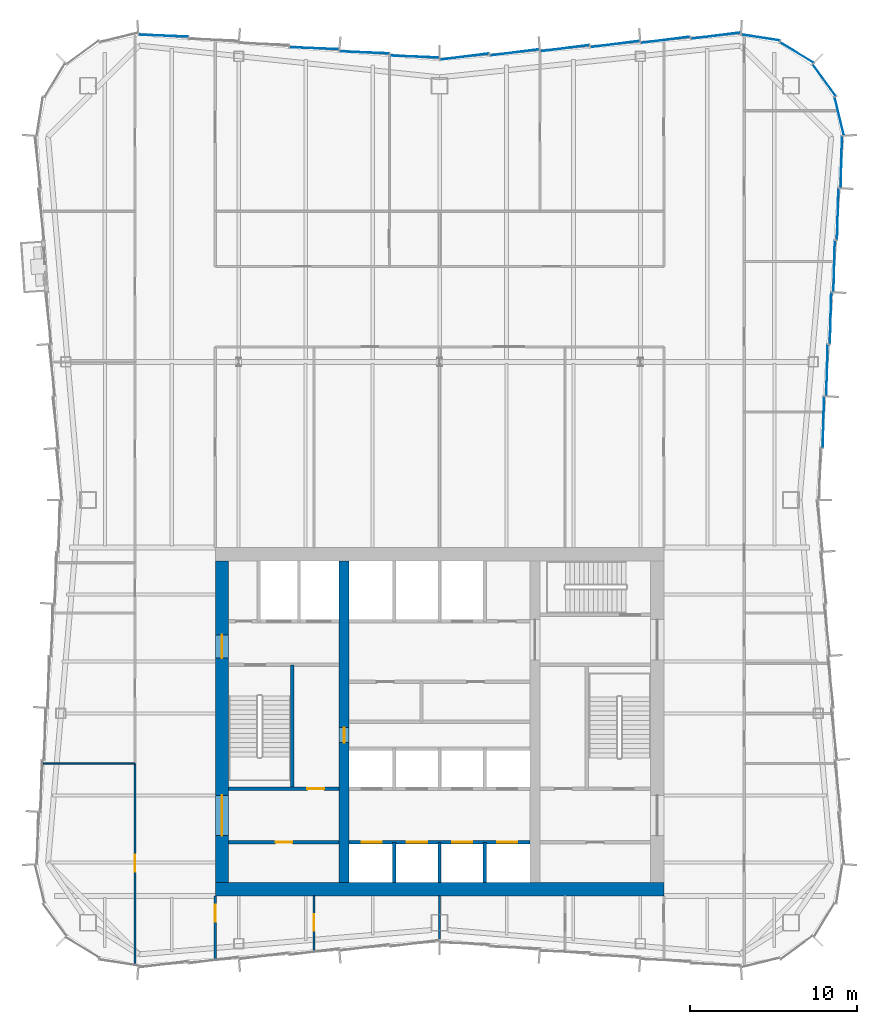
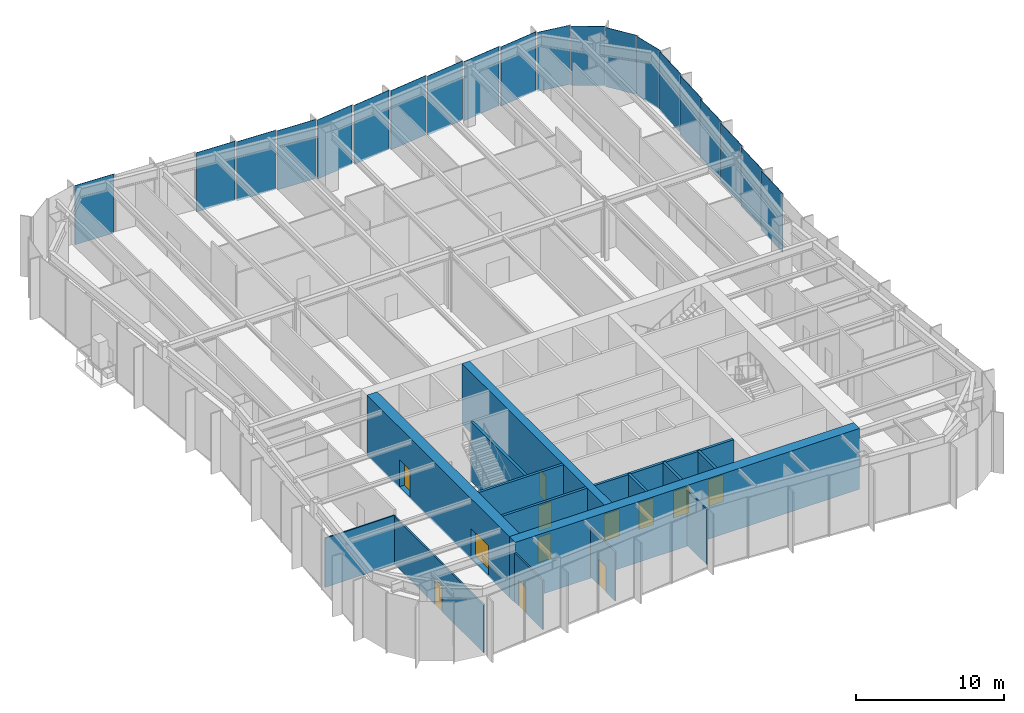
# One storey, part 10 of 15: 20 plates, 15 walls, 12 doors, 12 openings, 3 elements without a shape of their own.
"""IFC4 building model written with IfcOpenShell, lengths in metres."""

from ifc_helpers import new_model, si_unit, direction, frame, frame_2d, origin, origin_2d, place, context, subcontext, project, spatial, rectangle, extrude, material, layer, layer_set, type_object, element, fill, aggregate, save


model = new_model("IFC4")

# Units and contexts
model_context = context("Model", 3, precision=1e-05, world=origin(), true_north=direction((0.0, 1.0)))
body_context = subcontext(model_context, "Body", "Model", "MODEL_VIEW")
ifc_project = project(units=[si_unit("LENGTHUNIT", "METRE"), si_unit("AREAUNIT", "SQUARE_METRE"), si_unit("VOLUMEUNIT", "CUBIC_METRE"), si_unit("PLANEANGLEUNIT", "RADIAN"), si_unit("MASSUNIT", "GRAM", prefix="KILO")], contexts=[model_context])

# Site, building, storey
site_placement = place(None, origin())
site = spatial("IfcSite", under=ifc_project, at=site_placement, CompositionType="ELEMENT")
building_placement = place(site_placement, origin())
building = spatial("IfcBuilding", under=site, at=building_placement, Name="Verdant Reach Tower", CompositionType="ELEMENT")
storey_placement = place(building_placement, frame((0.0, 0.0, 233.0)))
storey = spatial("IfcBuildingStorey", under=building, at=storey_placement, Name="L53", CompositionType="ELEMENT", Elevation=233.0)

# Curtain wall, plates
ifc_material_1 = material(Name="Anodised aluminium", Category="aluminium")
curtain_wall_type = type_object("IfcCurtainWallType", Name="EN-CW SYSTEM Z4", PredefinedType="NOTDEFINED", material=ifc_material_1)
curtain_wall_1_placement = place(storey_placement, origin())
curtain_wall_1 = element("IfcCurtainWall", 1, at=curtain_wall_1_placement, inside=storey, type_object=curtain_wall_type, Name="Curtain wall east, L53", PredefinedType="NOTDEFINED")
ifc_material_2 = material(Name="Tinted glass with champagne spandrel", Category="glass")
ifc_layer_1 = layer(ifc_material_2, 0.031982421875)
ifc_layer_set_1 = layer_set([ifc_layer_1], Name="EN-PANEL CHAMPAGNE")
plate_type_1 = type_object("IfcPlateType", Name="EN-PANEL CHAMPAGNE", PredefinedType="CURTAIN_PANEL", material=ifc_layer_set_1)
plate_1_placement = place(storey_placement, frame((23.575927734375, 55.224365234375, -0.221923828125), z_axis=(0.0, 0.0, 1.0), x_axis=(0.026965318308, 0.999636369691, 0.0)))
plate_1 = element("IfcPlate", 2, at=plate_1_placement, type_object=plate_type_1, Name="Glass panel east face part 2 5.1, L53", PredefinedType="CURTAIN_PANEL", context=body_context, shape_type="SweptSolid", body=[
    extrude(rectangle(XDim=3.050537109375, YDim=0.031982421875, at=origin_2d()), origin(), (0.0, 0.0, 1.0), 4.8720703125),
])
plate_2_placement = place(storey_placement, frame((23.790283203125, 58.33154296875, -0.221923828125), z_axis=(0.0, 0.0, 1.0), x_axis=(0.026965318308, 0.999636369691, 0.0)))
plate_2 = element("IfcPlate", 3, at=plate_2_placement, type_object=plate_type_1, Name="Glass panel east face part 2 6.1, L53", PredefinedType="CURTAIN_PANEL", context=body_context, shape_type="SweptSolid", body=[
    extrude(rectangle(XDim=3.050537109375, YDim=0.031982421875, at=origin_2d()), origin(), (0.0, 0.0, 1.0), 4.8720703125),
])
plate_3_placement = place(storey_placement, frame((24.004638671875, 61.446044921875, -0.221923828125), z_axis=(0.0, 0.0, 1.0), x_axis=(0.026651253217, 0.999644792265, 0.0)))
plate_3 = element("IfcPlate", 4, at=plate_3_placement, type_object=plate_type_1, Name="Glass panel east face part 2 7.1, L53", PredefinedType="CURTAIN_PANEL", context=body_context, shape_type="SweptSolid", body=[
    extrude(rectangle(XDim=3.0654296875, YDim=0.031982421875, at=origin_2d()), origin(), (0.0, 0.0, 1.0), 4.8720703125),
])

# Curtain wall, plate
curtain_wall_2_placement = place(storey_placement, origin())
curtain_wall_2 = element("IfcCurtainWall", 5, at=curtain_wall_2_placement, inside=storey, type_object=curtain_wall_type, Name="Curtain wall north-east corner, L53", PredefinedType="NOTDEFINED")
plate_4_placement = place(storey_placement, frame((19.172607421875, 68.87939453125, -0.221923828125), z_axis=(0.0, 0.0, 1.0), x_axis=(-0.98802725693, 0.154279420415, 0.0)))
plate_4 = element("IfcPlate", 6, at=plate_4_placement, type_object=plate_type_1, Name="Glass panel north-east corner 4.1, L53", PredefinedType="CURTAIN_PANEL", context=body_context, shape_type="SweptSolid", body=[
    extrude(rectangle(XDim=2.314453125, YDim=0.031982421875, at=origin_2d()), origin(), (0.0, 0.0, 1.0), 4.8720703125),
])

# Curtain wall, plates
curtain_wall_3_placement = place(storey_placement, origin())
curtain_wall_3 = element("IfcCurtainWall", 7, at=curtain_wall_3_placement, inside=storey, type_object=curtain_wall_type, Name="Curtain wall north, L53", PredefinedType="NOTDEFINED")
plate_5_placement = place(storey_placement, frame((13.49072265625, 68.736572265625, -0.221923828125), z_axis=(0.0, 0.0, 1.0), x_axis=(-0.992194034542, -0.124703639961, 0.0)))
plate_5 = element("IfcPlate", 8, at=plate_5_placement, type_object=plate_type_1, Name="Glass panel north face part 1 2.1, L53", PredefinedType="CURTAIN_PANEL", context=body_context, shape_type="SweptSolid", body=[
    extrude(rectangle(XDim=2.9462890625, YDim=0.031982421875, at=origin_2d()), origin(), (0.0, 0.0, 1.0), 4.8720703125),
])
plate_6_placement = place(storey_placement, frame((10.49072265625, 68.486572265625, -0.221923828125), z_axis=(0.0, 0.0, 1.0), x_axis=(-0.992194034542, -0.124703639961, 0.0)))
plate_6 = element("IfcPlate", 9, at=plate_6_placement, type_object=plate_type_1, Name="Glass panel north face part 1 3.1, L53", PredefinedType="CURTAIN_PANEL", context=body_context, shape_type="SweptSolid", body=[
    extrude(rectangle(XDim=2.9462890625, YDim=0.031982421875, at=origin_2d()), origin(), (0.0, 0.0, 1.0), 4.8720703125),
])
plate_7_placement = place(storey_placement, frame((7.49072265625, 68.236572265625, -0.221923828125), z_axis=(0.0, 0.0, 1.0), x_axis=(-0.992194034542, -0.124703639961, 0.0)))
plate_7 = element("IfcPlate", 10, at=plate_7_placement, type_object=plate_type_1, Name="Glass panel north face part 1 4.1, L53", PredefinedType="CURTAIN_PANEL", context=body_context, shape_type="SweptSolid", body=[
    extrude(rectangle(XDim=2.9462890625, YDim=0.031982421875, at=origin_2d()), origin(), (0.0, 0.0, 1.0), 4.8720703125),
])

# Plate
ifc_material_3 = material(Name="Tinted glass with copper spandrel", Category="glass")
ifc_layer_2 = layer(ifc_material_3, 0.031982421875)
ifc_layer_set_2 = layer_set([ifc_layer_2], Name="EN-PANEL COPPER")
plate_type_2 = type_object("IfcPlateType", Name="EN-PANEL COPPER", PredefinedType="CURTAIN_PANEL", material=ifc_layer_set_2)
plate_8_placement = place(storey_placement, frame((22.93310546875, 45.903076171875, -0.221923828125), z_axis=(0.0, 0.0, 1.0), x_axis=(0.026965318308, 0.999636369691, 0.0)))
plate_8 = element("IfcPlate", 11, at=plate_8_placement, type_object=plate_type_2, Name="Glass panel east face part 2 2.1, L53", PredefinedType="CURTAIN_PANEL", context=body_context, shape_type="SweptSolid", body=[
    extrude(rectangle(XDim=3.050537109375, YDim=0.031982421875, at=origin_2d()), origin(), (0.0, 0.0, 1.0), 4.8720703125),
])

plate_9_placement = place(storey_placement, frame((4.49072265625, 67.986572265625, -0.221923828125), z_axis=(0.0, 0.0, 1.0), x_axis=(-0.992194034542, -0.124703639961, 0.0)))
plate_9 = element("IfcPlate", 12, at=plate_9_placement, type_object=plate_type_2, Name="Glass panel north face part 1 5.1, L53", PredefinedType="CURTAIN_PANEL", context=body_context, shape_type="SweptSolid", body=[
    extrude(rectangle(XDim=2.9462890625, YDim=0.031982421875, at=origin_2d()), origin(), (0.0, 0.0, 1.0), 4.8720703125),
])

plate_10_placement = place(storey_placement, frame((1.495361328125, 67.73681640625, -0.221923828125), z_axis=(0.0, 0.0, 1.0), x_axis=(-0.992177950603, -0.124831543836, 0.0)))
plate_10 = element("IfcPlate", 13, at=plate_10_placement, type_object=plate_type_2, Name="Glass panel north face part 1 6.1, L53", PredefinedType="CURTAIN_PANEL", context=body_context, shape_type="SweptSolid", body=[
    extrude(rectangle(XDim=2.93701171875, YDim=0.031982421875, at=origin_2d()), origin(), (0.0, 0.0, 1.0), 4.8720703125),
])

plate_11_placement = place(storey_placement, frame((-16.49853515625, 68.98681640625, -0.221923828125), z_axis=(0.0, 0.0, 1.0), x_axis=(-0.999164016711, 0.040881141246, 0.0)))
plate_11 = element("IfcPlate", 14, at=plate_11_placement, type_object=plate_type_2, Name="Glass panel north face part 2 6.1, L53", PredefinedType="CURTAIN_PANEL", context=body_context, shape_type="SweptSolid", body=[
    extrude(rectangle(XDim=2.9619140625, YDim=0.031982421875, at=origin_2d()), origin(), (0.0, 0.0, 1.0), 4.8720703125),
])

ifc_material_4 = material(Name="Tinted glass with dark bronze spandrel", Category="glass")
ifc_layer_3 = layer(ifc_material_4, 0.031982421875)
ifc_layer_set_3 = layer_set([ifc_layer_3], Name="EN-PANEL DARK")
plate_type_3 = type_object("IfcPlateType", Name="EN-PANEL DARK", PredefinedType="CURTAIN_PANEL", material=ifc_layer_set_3)
plate_12_placement = place(storey_placement, frame((23.1474609375, 49.01025390625, -0.221923828125), z_axis=(0.0, 0.0, 1.0), x_axis=(0.026965318308, 0.999636369691, 0.0)))
plate_12 = element("IfcPlate", 15, at=plate_12_placement, type_object=plate_type_3, Name="Glass panel east face part 2 3.1, L53", PredefinedType="CURTAIN_PANEL", context=body_context, shape_type="SweptSolid", body=[
    extrude(rectangle(XDim=3.050537109375, YDim=0.031982421875, at=origin_2d()), origin(), (0.0, 0.0, 1.0), 4.8720703125),
])

plate_13_placement = place(storey_placement, frame((23.36181640625, 52.1171875, -0.221923828125), z_axis=(0.0, 0.0, 1.0), x_axis=(0.026965318308, 0.999636369691, 0.0)))
plate_13 = element("IfcPlate", 16, at=plate_13_placement, type_object=plate_type_3, Name="Glass panel east face part 2 4.1, L53", PredefinedType="CURTAIN_PANEL", context=body_context, shape_type="SweptSolid", body=[
    extrude(rectangle(XDim=3.050537109375, YDim=0.031982421875, at=origin_2d()), origin(), (0.0, 0.0, 1.0), 4.8720703125),
])

aggregate(curtain_wall_1, [plate_8, plate_12, plate_13, plate_1, plate_2, plate_3])

plate_14_placement = place(storey_placement, frame((23.87939453125, 64.173095703125, -0.221923828125), z_axis=(0.0, 0.0, 1.0), x_axis=(-0.236458850433, 0.971641503875, 0.0)))
plate_14 = element("IfcPlate", 17, at=plate_14_placement, type_object=plate_type_3, Name="Glass panel north-east corner 1.1, L53", PredefinedType="CURTAIN_PANEL", context=body_context, shape_type="SweptSolid", body=[
    extrude(rectangle(XDim=2.313720703125, YDim=0.031982421875, at=origin_2d()), origin(), (0.0, 0.0, 1.0), 4.8720703125),
])

plate_15_placement = place(storey_placement, frame((22.984375, 66.330322265625, -0.221923828125), z_axis=(0.0, 0.0, 1.0), x_axis=(-0.589926737254, 0.80745677573, 0.0)))
plate_15 = element("IfcPlate", 18, at=plate_15_placement, type_object=plate_type_3, Name="Glass panel north-east corner 2.1, L53", PredefinedType="CURTAIN_PANEL", context=body_context, shape_type="SweptSolid", body=[
    extrude(rectangle(XDim=2.32080078125, YDim=0.031982421875, at=origin_2d()), origin(), (0.0, 0.0, 1.0), 4.8720703125),
])

plate_16_placement = place(storey_placement, frame((21.330322265625, 67.984375, -0.221923828125), z_axis=(0.0, 0.0, 1.0), x_axis=(-0.853988708265, 0.520291539577, 0.0)))
plate_16 = element("IfcPlate", 19, at=plate_16_placement, type_object=plate_type_3, Name="Glass panel north-east corner 3.1, L53", PredefinedType="CURTAIN_PANEL", context=body_context, shape_type="SweptSolid", body=[
    extrude(rectangle(XDim=2.32080078125, YDim=0.031982421875, at=origin_2d()), origin(), (0.0, 0.0, 1.0), 4.8720703125),
])

aggregate(curtain_wall_2, [plate_14, plate_15, plate_16, plate_4])

plate_17_placement = place(storey_placement, frame((16.49853515625, 68.98681640625, -0.221923828125), z_axis=(0.0, 0.0, 1.0), x_axis=(-0.992238962139, -0.124345655383, 0.0)))
plate_17 = element("IfcPlate", 20, at=plate_17_placement, type_object=plate_type_3, Name="Glass panel north face part 1 1.1, L53", PredefinedType="CURTAIN_PANEL", context=body_context, shape_type="SweptSolid", body=[
    extrude(rectangle(XDim=2.9619140625, YDim=0.031982421875, at=origin_2d()), origin(), (0.0, 0.0, 1.0), 4.8720703125),
])

plate_18_placement = place(storey_placement, frame((-1.495361328125, 67.73681640625, -0.221923828125), z_axis=(0.0, 0.0, 1.0), x_axis=(-0.999143877249, 0.041370430933, 0.0)))
plate_18 = element("IfcPlate", 21, at=plate_18_placement, type_object=plate_type_3, Name="Glass panel north face part 2 1.1, L53", PredefinedType="CURTAIN_PANEL", context=body_context, shape_type="SweptSolid", body=[
    extrude(rectangle(XDim=2.93701171875, YDim=0.031982421875, at=origin_2d()), origin(), (0.0, 0.0, 1.0), 4.8720703125),
])

plate_19_placement = place(storey_placement, frame((-4.49072265625, 67.986572265625, -0.221923828125), z_axis=(0.0, 0.0, 1.0), x_axis=(-0.999149202059, 0.041241629766, 0.0)))
plate_19 = element("IfcPlate", 22, at=plate_19_placement, type_object=plate_type_3, Name="Glass panel north face part 2 2.1, L53", PredefinedType="CURTAIN_PANEL", context=body_context, shape_type="SweptSolid", body=[
    extrude(rectangle(XDim=2.9462890625, YDim=0.031982421875, at=origin_2d()), origin(), (0.0, 0.0, 1.0), 4.8720703125),
])

plate_20_placement = place(storey_placement, frame((-7.49072265625, 68.236572265625, -0.221923828125), z_axis=(0.0, 0.0, 1.0), x_axis=(-0.999149202059, 0.041241629766, 0.0)))
plate_20 = element("IfcPlate", 23, at=plate_20_placement, type_object=plate_type_3, Name="Glass panel north face part 2 3.1, L53", PredefinedType="CURTAIN_PANEL", context=body_context, shape_type="SweptSolid", body=[
    extrude(rectangle(XDim=2.9462890625, YDim=0.031982421875, at=origin_2d()), origin(), (0.0, 0.0, 1.0), 4.8720703125),
])

aggregate(curtain_wall_3, [plate_17, plate_5, plate_6, plate_7, plate_9, plate_10, plate_18, plate_19, plate_20, plate_11])

# Wall, opening, door
ifc_material_5 = material(Name="Gypsum board on steel studs", Category="steel")
ifc_layer_4 = layer(ifc_material_5, 0.199951171875)
ifc_layer_set_4 = layer_set([ifc_layer_4], Name="CO-WALL-ROOM")
wall_type_1 = type_object("IfcWallType", Name="CO-WALL-ROOM", PredefinedType="PARTITIONING", material=ifc_layer_set_4)
wall_1_placement = place(storey_placement, frame((-12.60009765625, 20.800048828125, 0.0), z_axis=(0.0, 0.0, 1.0), x_axis=(1.0, 0.0, 0.0)))
wall_1 = element("IfcWall", 24, at=wall_1_placement, inside=storey, type_object=wall_type_1, Name="Core partition, L53", PredefinedType="PARTITIONING", context=body_context, shape_type="SweptSolid", body=[
    extrude(rectangle(XDim=6.60009765625, YDim=0.199951171875, at=frame_2d((3.300048828125, 0.0))), origin(), (0.0, 0.0, 1.0), 4.8701171875),
])
opening_1_placement = place(wall_1_placement, frame((2.800048828125, 0.0, 0.0)))
opening_1 = element("IfcOpeningElement", 25, at=opening_1_placement, cuts=wall_1, Name="Opening CD", PredefinedType="OPENING", context=body_context, shape_type="SweptSolid", body=[
    extrude(rectangle(XDim=1.0, YDim=2.10009765625, at=frame_2d((0.5, 1.050048828125))), frame((0.0, 0.10986328125, 0.0), z_axis=(0.0, -1.0, 0.0), x_axis=(1.0, 0.0, 0.0)), (0.0, 0.0, 1.0), 0.219970703125),
])
ifc_material_6 = material(Name="Timber", Category="wood")
door_type_1 = type_object("IfcDoorType", Name="CO-DOOR-ROOM", OperationType="NOTDEFINED", PredefinedType="DOOR", material=ifc_material_6)
door_1_placement = place(opening_1_placement, origin())
door_1 = element("IfcDoor", 26, at=door_1_placement, inside=storey, type_object=door_type_1, Name="Core room door, L53", OperationType="SINGLE_SWING_LEFT", OverallHeight=2.10009765625, OverallWidth=1.0, PredefinedType="DOOR", context=body_context, shape_type="SweptSolid", body=[
    extrude(rectangle(XDim=1.0, YDim=2.10009765625, at=frame_2d((0.5, 1.050048828125))), frame((0.0, 0.02490234375, 0.0), z_axis=(0.0, -1.0, 0.0), x_axis=(1.0, 0.0, 0.0)), (0.0, 0.0, 1.0), 0.050048828125),
])
fill(opening_1, door_1)

# Wall, openings, doors
ifc_material_7 = material(Name="Concrete C40/50", Category="concrete")
ifc_layer_5 = layer(ifc_material_7, 0.199951171875)
ifc_layer_set_5 = layer_set([ifc_layer_5], Name="CO-WALL-SHAFT")
wall_type_2 = type_object("IfcWallType", Name="CO-WALL-SHAFT", PredefinedType="PARTITIONING", material=ifc_layer_set_5)
wall_2_placement = place(storey_placement, frame((-5.39990234375, 20.800048828125, 0.0), z_axis=(0.0, 0.0, 1.0), x_axis=(1.0, 0.0, 0.0)))
wall_2 = element("IfcWall", 27, at=wall_2_placement, inside=storey, type_object=wall_type_2, Name="Lift shaft wall, L53", PredefinedType="PARTITIONING", context=body_context, shape_type="SweptSolid", body=[
    extrude(rectangle(XDim=10.7998046875, YDim=0.199951171875, at=frame_2d((5.39990234375, 0.0))), origin(), (0.0, 0.0, 1.0), 4.8701171875),
])
opening_2_placement = place(wall_2_placement, frame((0.75, 0.0, 0.0)))
opening_2 = element("IfcOpeningElement", 28, at=opening_2_placement, cuts=wall_2, Name="Opening LD-B1", PredefinedType="OPENING", context=body_context, shape_type="SweptSolid", body=[
    extrude(rectangle(XDim=1.199951171875, YDim=2.199951171875, at=frame_2d((0.60009765625, 1.10009765625))), frame((0.0, 0.10986328125, 0.0), z_axis=(0.0, -1.0, 0.0), x_axis=(1.0, 0.0, 0.0)), (0.0, 0.0, 1.0), 0.219970703125),
])
opening_3_placement = place(wall_2_placement, frame((3.449951171875, 0.0, 0.0)))
opening_3 = element("IfcOpeningElement", 29, at=opening_3_placement, cuts=wall_2, Name="Opening LD-B2", PredefinedType="OPENING", context=body_context, shape_type="SweptSolid", body=[
    extrude(rectangle(XDim=1.199951171875, YDim=2.199951171875, at=frame_2d((0.60009765625, 1.10009765625))), frame((0.0, 0.10986328125, 0.0), z_axis=(0.0, -1.0, 0.0), x_axis=(1.0, 0.0, 0.0)), (0.0, 0.0, 1.0), 0.219970703125),
])
opening_4_placement = place(wall_2_placement, frame((6.14990234375, 0.0, 0.0)))
opening_4 = element("IfcOpeningElement", 30, at=opening_4_placement, cuts=wall_2, Name="Opening LD-B3", PredefinedType="OPENING", context=body_context, shape_type="SweptSolid", body=[
    extrude(rectangle(XDim=1.199951171875, YDim=2.199951171875, at=frame_2d((0.60009765625, 1.10009765625))), frame((0.0, 0.10986328125, 0.0), z_axis=(0.0, -1.0, 0.0), x_axis=(1.0, 0.0, 0.0)), (0.0, 0.0, 1.0), 0.219970703125),
])
opening_5_placement = place(wall_2_placement, frame((8.85009765625, 0.0, 0.0)))
opening_5 = element("IfcOpeningElement", 31, at=opening_5_placement, cuts=wall_2, Name="Opening LD-B4", PredefinedType="OPENING", context=body_context, shape_type="SweptSolid", body=[
    extrude(rectangle(XDim=1.199951171875, YDim=2.199951171875, at=frame_2d((0.60009765625, 1.10009765625))), frame((0.0, 0.10986328125, 0.0), z_axis=(0.0, -1.0, 0.0), x_axis=(1.0, 0.0, 0.0)), (0.0, 0.0, 1.0), 0.219970703125),
])
ifc_material_8 = material(Name="Stainless steel", Category="steel")
door_type_2 = type_object("IfcDoorType", Name="CO-DOOR-LANDING", OperationType="SLIDING_TO_LEFT", PredefinedType="DOOR", material=ifc_material_8)
door_2_placement = place(opening_2_placement, origin())
door_2 = element("IfcDoor", 32, at=door_2_placement, inside=storey, type_object=door_type_2, Name="Landing door B1, L53", OperationType="SLIDING_TO_LEFT", OverallHeight=2.199951171875, OverallWidth=1.199951171875, PredefinedType="DOOR", context=body_context, shape_type="SweptSolid", body=[
    extrude(rectangle(XDim=1.199951171875, YDim=2.199951171875, at=frame_2d((0.60009765625, 1.10009765625))), frame((0.0, 0.02490234375, 0.0), z_axis=(0.0, -1.0, 0.0), x_axis=(1.0, 0.0, 0.0)), (0.0, 0.0, 1.0), 0.050048828125),
])
fill(opening_2, door_2)
door_3_placement = place(opening_3_placement, origin())
door_3 = element("IfcDoor", 33, at=door_3_placement, inside=storey, type_object=door_type_2, Name="Landing door B2, L53", OperationType="SLIDING_TO_LEFT", OverallHeight=2.199951171875, OverallWidth=1.199951171875, PredefinedType="DOOR", context=body_context, shape_type="SweptSolid", body=[
    extrude(rectangle(XDim=1.199951171875, YDim=2.199951171875, at=frame_2d((0.60009765625, 1.10009765625))), frame((0.0, 0.02490234375, 0.0), z_axis=(0.0, -1.0, 0.0), x_axis=(1.0, 0.0, 0.0)), (0.0, 0.0, 1.0), 0.050048828125),
])
fill(opening_3, door_3)
door_4_placement = place(opening_4_placement, origin())
door_4 = element("IfcDoor", 34, at=door_4_placement, inside=storey, type_object=door_type_2, Name="Landing door B3, L53", OperationType="SLIDING_TO_LEFT", OverallHeight=2.199951171875, OverallWidth=1.199951171875, PredefinedType="DOOR", context=body_context, shape_type="SweptSolid", body=[
    extrude(rectangle(XDim=1.199951171875, YDim=2.199951171875, at=frame_2d((0.60009765625, 1.10009765625))), frame((0.0, 0.02490234375, 0.0), z_axis=(0.0, -1.0, 0.0), x_axis=(1.0, 0.0, 0.0)), (0.0, 0.0, 1.0), 0.050048828125),
])
fill(opening_4, door_4)
door_5_placement = place(opening_5_placement, origin())
door_5 = element("IfcDoor", 35, at=door_5_placement, inside=storey, type_object=door_type_2, Name="Landing door B4, L53", OperationType="SLIDING_TO_LEFT", OverallHeight=2.199951171875, OverallWidth=1.199951171875, PredefinedType="DOOR", context=body_context, shape_type="SweptSolid", body=[
    extrude(rectangle(XDim=1.199951171875, YDim=2.199951171875, at=frame_2d((0.60009765625, 1.10009765625))), frame((0.0, 0.02490234375, 0.0), z_axis=(0.0, -1.0, 0.0), x_axis=(1.0, 0.0, 0.0)), (0.0, 0.0, 1.0), 0.050048828125),
])
fill(opening_5, door_5)

# Walls
for number, where, z_axis, x_axis, name in (
    (36, (-2.699951171875, 18.39990234375, 0.0), (0.0, 0.0, 1.0), (0.0, 1.0, 0.0), "Lift shaft wall, L53"),
    (37, (0.0, 18.39990234375, 0.0), (0.0, 0.0, 1.0), (0.0, 1.0, 0.0), "Lift shaft wall, L53"),
    (38, (2.699951171875, 18.39990234375, 0.0), (0.0, 0.0, 1.0), (0.0, 1.0, 0.0), "Lift shaft wall, L53"),
):
    element("IfcWall", number, at=place(storey_placement, frame(where, z_axis=z_axis, x_axis=x_axis)), inside=storey, type_object=wall_type_2, Name=name, PredefinedType="PARTITIONING", context=body_context, shape_type="SweptSolid", body=[
        extrude(rectangle(XDim=2.400146484375, YDim=0.199951171875, at=frame_2d((1.2001953125, 0.0))), origin(), (0.0, 0.0, 1.0), 4.8701171875),
    ])

# Wall, opening, door
ifc_layer_6 = layer(ifc_material_7, 0.199951171875)
ifc_layer_set_6 = layer_set([ifc_layer_6], Name="CO-WALL-STAIR")
wall_type_3 = type_object("IfcWallType", Name="CO-WALL-STAIR", PredefinedType="PARTITIONING", material=ifc_layer_set_6)
wall_3_placement = place(storey_placement, frame((-12.60009765625, 24.0, 0.0), z_axis=(0.0, 0.0, 1.0), x_axis=(1.0, 0.0, 0.0)))
wall_3 = element("IfcWall", 39, at=wall_3_placement, inside=storey, type_object=wall_type_3, Name="Stair enclosure wall, L53", PredefinedType="PARTITIONING", context=body_context, shape_type="SweptSolid", body=[
    extrude(rectangle(XDim=6.60009765625, YDim=0.199951171875, at=frame_2d((3.300048828125, 0.0))), origin(), (0.0, 0.0, 1.0), 4.8701171875),
])
opening_6_placement = place(wall_3_placement, frame((4.699951171875, 0.0, 0.0)))
opening_6 = element("IfcOpeningElement", 40, at=opening_6_placement, cuts=wall_3, Name="Opening CD", PredefinedType="OPENING", context=body_context, shape_type="SweptSolid", body=[
    extrude(rectangle(XDim=1.0, YDim=2.10009765625, at=frame_2d((0.5, 1.050048828125))), frame((0.0, 0.10986328125, 0.0), z_axis=(0.0, -1.0, 0.0), x_axis=(1.0, 0.0, 0.0)), (0.0, 0.0, 1.0), 0.219970703125),
])
door_6_placement = place(opening_6_placement, origin())
door_6 = element("IfcDoor", 41, at=door_6_placement, inside=storey, type_object=door_type_1, Name="Core room door, L53", OperationType="SINGLE_SWING_RIGHT", OverallHeight=2.10009765625, OverallWidth=1.0, PredefinedType="DOOR", context=body_context, shape_type="SweptSolid", body=[
    extrude(rectangle(XDim=1.0, YDim=2.10009765625, at=frame_2d((0.5, 1.050048828125))), frame((0.0, 0.02490234375, 0.0), z_axis=(0.0, -1.0, 0.0), x_axis=(1.0, 0.0, 0.0)), (0.0, 0.0, 1.0), 0.050048828125),
])
fill(opening_6, door_6)

# Walls
wall_4_placement = place(storey_placement, frame((-8.800048828125, 24.0, 0.0), z_axis=(0.0, 0.0, 1.0), x_axis=(0.0, 1.0, 0.0)))
element("IfcWall", 42, at=wall_4_placement, inside=storey, type_object=wall_type_3, Name="Stair enclosure wall, L53", PredefinedType="PARTITIONING", context=body_context, shape_type="SweptSolid", body=[
    extrude(rectangle(XDim=7.39990234375, YDim=0.199951171875, at=frame_2d((3.699951171875, 0.0))), origin(), (0.0, 0.0, 1.0), 4.8701171875),
])
ifc_layer_7 = layer(ifc_material_5, 0.10009765625)
ifc_layer_set_7 = layer_set([ifc_layer_7], Name="FL-W1 Partition 100")
wall_type_4 = type_object("IfcWallType", Name="FL-W1 Partition 100", PredefinedType="PARTITIONING", material=ifc_layer_set_7)
wall_5_placement = place(storey_placement, frame((-18.199951171875, 25.5, 0.0), z_axis=(0.0, 0.0, 1.0), x_axis=(-1.0, 0.0, 0.0)))
element("IfcWall", 43, at=wall_5_placement, inside=storey, type_object=wall_type_4, Name="Partition 53.30", PredefinedType="PARTITIONING", context=body_context, shape_type="SweptSolid", body=[
    extrude(rectangle(XDim=5.46630859375, YDim=0.10009765625, at=frame_2d((2.733154296875, 0.0))), origin(), (0.0, 0.0, 1.0), 4.0400390625),
])

# Wall, opening, door
wall_6_placement = place(storey_placement, frame((-7.5, 17.60009765625, 0.0), z_axis=(0.0, 0.0, 1.0), x_axis=(0.0, -1.0, 0.0)))
wall_6 = element("IfcWall", 44, at=wall_6_placement, inside=storey, type_object=wall_type_4, Name="Partition 53.42", PredefinedType="PARTITIONING", context=body_context, shape_type="SweptSolid", body=[
    extrude(rectangle(XDim=3.30517578125, YDim=0.10009765625, at=frame_2d((1.652587890625, 0.0))), origin(), (0.0, 0.0, 1.0), 4.0400390625),
])
opening_7_placement = place(wall_6_placement, frame((1.08740234375, 0.0, 0.0)))
opening_7 = element("IfcOpeningElement", 45, at=opening_7_placement, cuts=wall_6, Name="Opening D3", PredefinedType="OPENING", context=body_context, shape_type="SweptSolid", body=[
    extrude(rectangle(XDim=1.0, YDim=2.10009765625, at=frame_2d((0.5, 1.050048828125))), frame((0.0, 0.06005859375, 0.0), z_axis=(0.0, -1.0, 0.0), x_axis=(1.0, 0.0, 0.0)), (0.0, 0.0, 1.0), 0.1201171875),
])
ifc_material_9 = material(Name="Painted timber door leaf", Category="wood")
door_type_3 = type_object("IfcDoorType", Name="FL-D3 Door 1000x2100", OperationType="NOTDEFINED", PredefinedType="DOOR", material=ifc_material_9)
door_7_placement = place(opening_7_placement, origin())
door_7 = element("IfcDoor", 46, at=door_7_placement, inside=storey, type_object=door_type_3, Name="Door 53-025", OperationType="SINGLE_SWING_LEFT", OverallHeight=2.10009765625, OverallWidth=1.0, PredefinedType="DOOR", context=body_context, shape_type="SweptSolid", body=[
    extrude(rectangle(XDim=1.0, YDim=2.10009765625, at=frame_2d((0.5, 1.050048828125))), frame((0.0, 0.02490234375, 0.0), z_axis=(0.0, -1.0, 0.0), x_axis=(1.0, 0.0, 0.0)), (0.0, 0.0, 1.0), 0.050048828125),
])
fill(opening_7, door_7)

# Wall
wall_7_placement = place(storey_placement, frame((0.0, 14.919921875, 0.0), z_axis=(0.0, 0.0, 1.0), x_axis=(0.0, 1.0, 0.0)))
element("IfcWall", 47, at=wall_7_placement, inside=storey, type_object=wall_type_4, Name="Partition 53.43", PredefinedType="PARTITIONING", context=body_context, shape_type="SweptSolid", body=[
    extrude(rectangle(XDim=2.68017578125, YDim=0.10009765625, at=frame_2d((1.340087890625, 0.0))), origin(), (0.0, 0.0, 1.0), 4.5400390625),
])

# Wall, opening, door
ifc_material_10 = material(Name="Gypsum board on steel studs, fire rated", Category="steel")
ifc_layer_8 = layer(ifc_material_10, 0.125)
ifc_layer_set_8 = layer_set([ifc_layer_8], Name="FL-W2 Corridor wall 125")
wall_type_5 = type_object("IfcWallType", Name="FL-W2 Corridor wall 125", PredefinedType="PARTITIONING", material=ifc_layer_set_8)
wall_8_placement = place(storey_placement, frame((-18.199951171875, 13.459716796875, 0.0), z_axis=(0.0, 0.0, 1.0), x_axis=(0.0, 1.0, 0.0)))
wall_8 = element("IfcWall", 48, at=wall_8_placement, inside=storey, type_object=wall_type_5, Name="Partition 53.01", PredefinedType="PARTITIONING", context=body_context, shape_type="SweptSolid", body=[
    extrude(rectangle(XDim=12.040283203125, YDim=0.125, at=frame_2d((6.02001953125, 0.0))), origin(), (0.0, 0.0, 1.0), 3.929931640625),
])
opening_8_placement = place(wall_8_placement, frame((5.585693359375, 0.0, 0.0)))
opening_8 = element("IfcOpeningElement", 49, at=opening_8_placement, cuts=wall_8, Name="Opening D2", PredefinedType="OPENING", context=body_context, shape_type="SweptSolid", body=[
    extrude(rectangle(XDim=1.0, YDim=2.10009765625, at=frame_2d((0.5, 1.050048828125))), frame((0.0, 0.072509765625, 0.0), z_axis=(0.0, -1.0, 0.0), x_axis=(1.0, 0.0, 0.0)), (0.0, 0.0, 1.0), 0.14501953125),
])
ifc_material_11 = material(Name="Timber door leaf, fire rated", Category="wood")
door_type_4 = type_object("IfcDoorType", Name="FL-D2 Entrance door 1000x2100 FD30", OperationType="NOTDEFINED", PredefinedType="DOOR", material=ifc_material_11)
door_8_placement = place(opening_8_placement, origin())
door_8 = element("IfcDoor", 50, at=door_8_placement, inside=storey, type_object=door_type_4, Name="Door 53-001", OperationType="SINGLE_SWING_RIGHT", OverallHeight=2.10009765625, OverallWidth=1.0, PredefinedType="DOOR", context=body_context, shape_type="SweptSolid", body=[
    extrude(rectangle(XDim=1.0, YDim=2.10009765625, at=frame_2d((0.5, 1.050048828125))), frame((0.0, 0.02490234375, 0.0), z_axis=(0.0, -1.0, 0.0), x_axis=(1.0, 0.0, 0.0)), (0.0, 0.0, 1.0), 0.050048828125),
])
fill(opening_8, door_8)

wall_9_placement = place(storey_placement, frame((-13.39990234375, 17.60009765625, 0.0), z_axis=(0.0, 0.0, 1.0), x_axis=(0.0, -1.0, 0.0)))
wall_9 = element("IfcWall", 51, at=wall_9_placement, inside=storey, type_object=wall_type_5, Name="Partition 53.15", PredefinedType="PARTITIONING", context=body_context, shape_type="SweptSolid", body=[
    extrude(rectangle(XDim=3.796875, YDim=0.125, at=frame_2d((1.8984375, 0.0))), origin(), (0.0, 0.0, 1.0), 4.0400390625),
])
opening_9_placement = place(wall_9_placement, frame((0.533203125, 0.0, 0.0)))
opening_9 = element("IfcOpeningElement", 52, at=opening_9_placement, cuts=wall_9, Name="Opening D2", PredefinedType="OPENING", context=body_context, shape_type="SweptSolid", body=[
    extrude(rectangle(XDim=1.0, YDim=2.10009765625, at=frame_2d((0.5, 1.050048828125))), frame((0.0, 0.072509765625, 0.0), z_axis=(0.0, -1.0, 0.0), x_axis=(1.0, 0.0, 0.0)), (0.0, 0.0, 1.0), 0.14501953125),
])
door_9_placement = place(opening_9_placement, origin())
door_9 = element("IfcDoor", 53, at=door_9_placement, inside=storey, type_object=door_type_4, Name="Door 53-015", OperationType="SINGLE_SWING_LEFT", OverallHeight=2.10009765625, OverallWidth=1.0, PredefinedType="DOOR", context=body_context, shape_type="SweptSolid", body=[
    extrude(rectangle(XDim=1.0, YDim=2.10009765625, at=frame_2d((0.5, 1.050048828125))), frame((0.0, 0.02490234375, 0.0), z_axis=(0.0, -1.0, 0.0), x_axis=(1.0, 0.0, 0.0)), (0.0, 0.0, 1.0), 0.050048828125),
])
fill(opening_9, door_9)

ifc_material_12 = material(Name="Concrete C70/85", Category="concrete")
ifc_layer_9 = layer(ifc_material_12, 0.60009765625)
ifc_layer_set_9 = layer_set([ifc_layer_9], Name="ST-CORE-WALL-600")
wall_type_6 = type_object("IfcWallType", Name="ST-CORE-WALL-600", PredefinedType="SHEAR", material=ifc_layer_set_9)
wall_10_placement = place(storey_placement, frame((-5.699951171875, 18.39990234375, -0.1298828125), z_axis=(0.0, 0.0, 1.0), x_axis=(0.0, 1.0, 0.0)))
wall_10 = element("IfcWall", 54, at=wall_10_placement, inside=storey, type_object=wall_type_6, Name="Core wall XW, L53", PredefinedType="SHEAR", context=body_context, shape_type="SweptSolid", body=[
    extrude(rectangle(XDim=19.2001953125, YDim=0.60009765625, at=frame_2d((9.60009765625, 0.0))), origin(), (0.0, 0.0, 1.0), 5.0),
])
opening_10_placement = place(wall_10_placement, frame((8.35009765625, 0.0, 0.1298828125)))
opening_10 = element("IfcOpeningElement", 55, at=opening_10_placement, cuts=wall_10, Name="Opening RD", PredefinedType="OPENING", context=body_context, shape_type="SweptSolid", body=[
    extrude(rectangle(XDim=0.89990234375, YDim=2.10009765625, at=frame_2d((0.449951171875, 1.050048828125))), frame((0.0, 0.31005859375, 0.0), z_axis=(0.0, -1.0, 0.0), x_axis=(1.0, 0.0, 0.0)), (0.0, 0.0, 1.0), 0.6201171875),
])
ifc_material_13 = material(Name="Steel", Category="steel")
door_type_5 = type_object("IfcDoorType", Name="CO-DOOR-RISER", OperationType="NOTDEFINED", PredefinedType="DOOR", material=ifc_material_13)
door_10_placement = place(opening_10_placement, origin())
door_10 = element("IfcDoor", 56, at=door_10_placement, inside=storey, type_object=door_type_5, Name="Riser door, L53", OperationType="SINGLE_SWING_RIGHT", OverallHeight=2.10009765625, OverallWidth=0.89990234375, PredefinedType="DOOR", context=body_context, shape_type="SweptSolid", body=[
    extrude(rectangle(XDim=0.89990234375, YDim=2.10009765625, at=frame_2d((0.449951171875, 1.050048828125))), frame((0.0, 0.02490234375, 0.0), z_axis=(0.0, -1.0, 0.0), x_axis=(1.0, 0.0, 0.0)), (0.0, 0.0, 1.0), 0.050048828125),
])
fill(opening_10, door_10)

# Wall
ifc_layer_10 = layer(ifc_material_12, 0.800048828125)
ifc_layer_set_10 = layer_set([ifc_layer_10], Name="ST-CORE-WALL-800")
wall_type_7 = type_object("IfcWallType", Name="ST-CORE-WALL-800", PredefinedType="SHEAR", material=ifc_layer_set_10)
wall_11_placement = place(storey_placement, frame((-13.39990234375, 18.0, -0.1298828125), z_axis=(0.0, 0.0, 1.0), x_axis=(1.0, 0.0, 0.0)))
element("IfcWall", 57, at=wall_11_placement, inside=storey, type_object=wall_type_7, Name="Core wall S, L53", PredefinedType="SHEAR", context=body_context, shape_type="SweptSolid", body=[
    extrude(rectangle(XDim=26.7998046875, YDim=0.800048828125, at=frame_2d((13.39990234375, 0.0))), origin(), (0.0, 0.0, 1.0), 5.0),
])

# Wall, openings, doors
wall_12_placement = place(storey_placement, frame((-13.0, 18.39990234375, -0.1298828125), z_axis=(0.0, 0.0, 1.0), x_axis=(0.0, 1.0, 0.0)))
wall_12 = element("IfcWall", 58, at=wall_12_placement, inside=storey, type_object=wall_type_7, Name="Core wall W, L53", PredefinedType="SHEAR", context=body_context, shape_type="SweptSolid", body=[
    extrude(rectangle(XDim=19.2001953125, YDim=0.800048828125, at=frame_2d((9.60009765625, 0.0))), origin(), (0.0, 0.0, 1.0), 5.0),
])
opening_11_placement = place(wall_12_placement, frame((2.800048828125, 0.0, 0.1298828125)))
opening_11 = element("IfcOpeningElement", 59, at=opening_11_placement, cuts=wall_12, Name="Opening LB", PredefinedType="OPENING", context=body_context, shape_type="SweptSolid", body=[
    extrude(rectangle(XDim=2.39990234375, YDim=2.39990234375, at=frame_2d((1.199951171875, 1.199951171875))), frame((0.0, 0.409912109375, 0.0), z_axis=(0.0, -1.0, 0.0), x_axis=(1.0, 0.0, 0.0)), (0.0, 0.0, 1.0), 0.820068359375),
])
opening_12_placement = place(wall_12_placement, frame((13.39990234375, 0.0, 0.1298828125)))
opening_12 = element("IfcOpeningElement", 60, at=opening_12_placement, cuts=wall_12, Name="Opening FL", PredefinedType="OPENING", context=body_context, shape_type="SweptSolid", body=[
    extrude(rectangle(XDim=1.39990234375, YDim=2.199951171875, at=frame_2d((0.699951171875, 1.10009765625))), frame((0.0, 0.409912109375, 0.0), z_axis=(0.0, -1.0, 0.0), x_axis=(1.0, 0.0, 0.0)), (0.0, 0.0, 1.0), 0.820068359375),
])
door_type_6 = type_object("IfcDoorType", Name="CO-DOOR-FFL", OperationType="NOTDEFINED", PredefinedType="DOOR", material=ifc_material_13)
door_11_placement = place(opening_12_placement, origin())
door_11 = element("IfcDoor", 61, at=door_11_placement, inside=storey, type_object=door_type_6, Name="Core entrance door, L53", OperationType="SINGLE_SWING_RIGHT", OverallHeight=2.199951171875, OverallWidth=1.39990234375, PredefinedType="DOOR", context=body_context, shape_type="SweptSolid", body=[
    extrude(rectangle(XDim=1.39990234375, YDim=2.199951171875, at=frame_2d((0.699951171875, 1.10009765625))), frame((0.0, 0.02490234375, 0.0), z_axis=(0.0, -1.0, 0.0), x_axis=(1.0, 0.0, 0.0)), (0.0, 0.0, 1.0), 0.050048828125),
])
fill(opening_12, door_11)
ifc_material_14 = material(Name="Glass and steel", Category="steel")
door_type_7 = type_object("IfcDoorType", Name="CO-DOOR-LOBBY", OperationType="DOUBLE_DOOR_SINGLE_SWING", PredefinedType="DOOR", material=ifc_material_14)
door_12_placement = place(opening_11_placement, origin())
door_12 = element("IfcDoor", 62, at=door_12_placement, inside=storey, type_object=door_type_7, Name="Core entrance door, L53", OperationType="DOUBLE_DOOR_SINGLE_SWING", OverallHeight=2.39990234375, OverallWidth=2.39990234375, PredefinedType="DOOR", context=body_context, shape_type="SweptSolid", body=[
    extrude(rectangle(XDim=2.39990234375, YDim=2.39990234375, at=frame_2d((1.199951171875, 1.199951171875))), frame((0.0, 0.02490234375, 0.0), z_axis=(0.0, -1.0, 0.0), x_axis=(1.0, 0.0, 0.0)), (0.0, 0.0, 1.0), 0.050048828125),
])
fill(opening_11, door_12)

save(model, "model.ifc")
